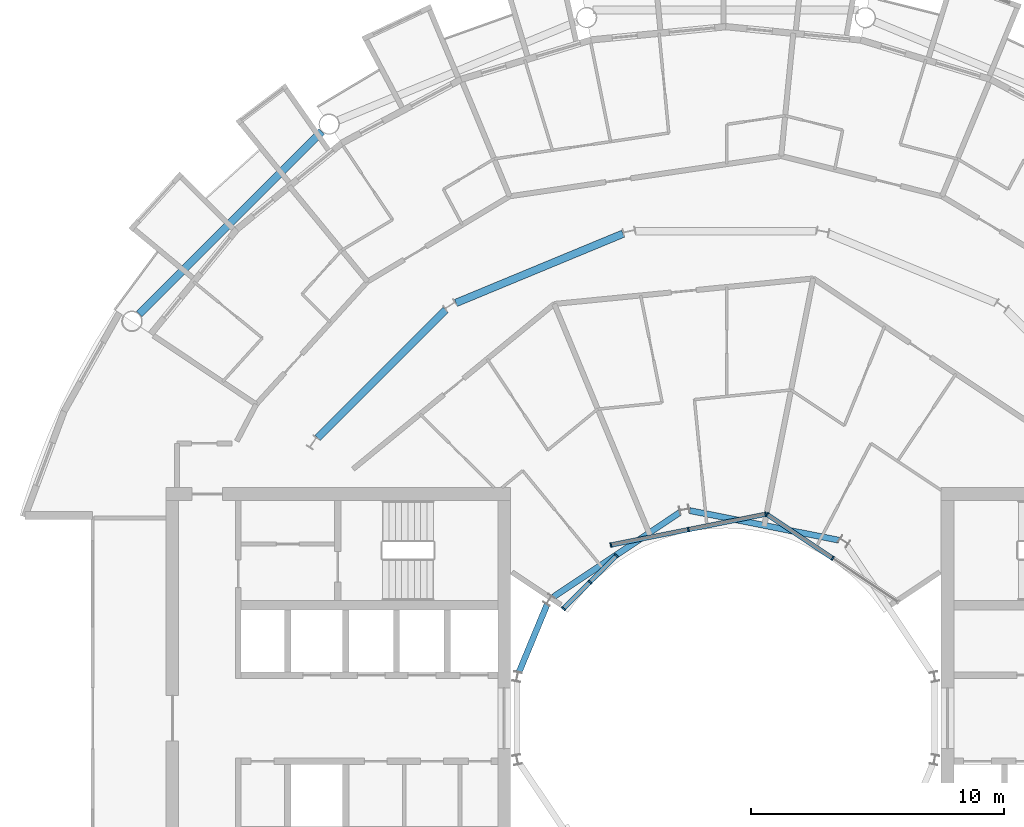
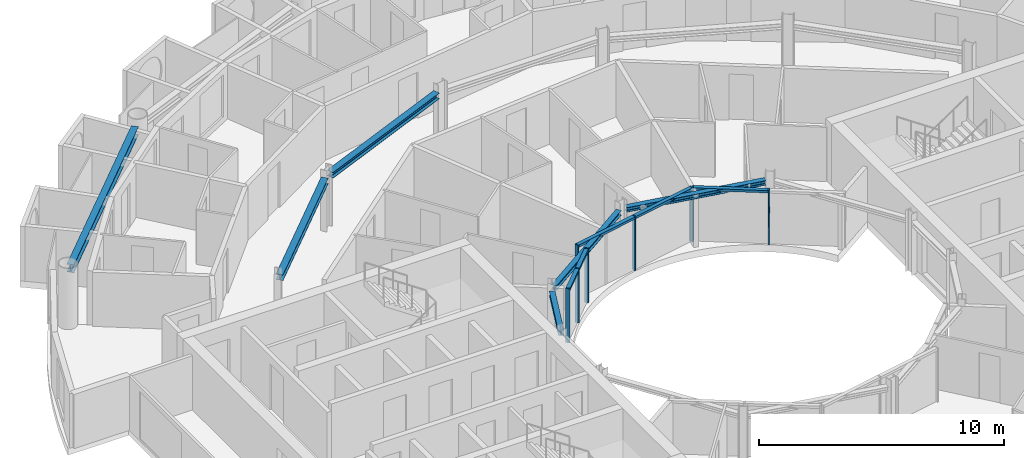
# One storey, part 8 of 27: 13 members, 6 beams, 3 elements without a shape of their own.
"""IFC4 building model written with IfcOpenShell, lengths in metres."""

from ifc_helpers import new_model, si_unit, direction, frame, origin, origin_2d, place, context, subcontext, project, spatial, rectangle, i_section, extrude, material, layer, layer_set, material_profile, profile_set, type_object, element, aggregate, save


model = new_model("IFC4")

# Units and contexts
model_context = context("Model", 3, precision=1e-05, world=origin(), true_north=direction((0.0, 1.0)))
body_context = subcontext(model_context, "Body", "Model", "MODEL_VIEW")
ifc_project = project(units=[si_unit("LENGTHUNIT", "METRE"), si_unit("AREAUNIT", "SQUARE_METRE"), si_unit("VOLUMEUNIT", "CUBIC_METRE"), si_unit("PLANEANGLEUNIT", "RADIAN"), si_unit("MASSUNIT", "GRAM", prefix="KILO")], contexts=[model_context])

# Site, building, storey
site_placement = place(None, origin())
site = spatial("IfcSite", under=ifc_project, at=site_placement, CompositionType="ELEMENT")
building_placement = place(site_placement, origin())
building = spatial("IfcBuilding", under=site, at=building_placement, Name="Maasbend Ring Residences", CompositionType="ELEMENT")
storey_placement = place(building_placement, frame((0.0, 0.0, 145.199951171875)))
storey = spatial("IfcBuildingStorey", under=building, at=storey_placement, Name="L41", CompositionType="ELEMENT", Elevation=145.199951171875)

# Curtain wall, members
ifc_material_1 = material(Name="Aluminium and clear glass", Category="aluminium")
ifc_layer = layer(ifc_material_1, 0.179931640625)
ifc_layer_set = layer_set([ifc_layer], Name="CW-W")
curtain_wall_type = type_object("IfcCurtainWallType", Name="CW-W", PredefinedType="NOTDEFINED", material=ifc_layer_set)
curtain_wall_1_placement = place(storey_placement, origin())
curtain_wall_1 = element("IfcCurtainWall", 1, at=curtain_wall_1_placement, inside=storey, type_object=curtain_wall_type, Name="Well curtain wall N1", PredefinedType="NOTDEFINED")
ifc_material_2 = material(Name="Aluminium 6063-T6", Category="aluminium")
ifc_material_profile_1 = material_profile(ifc_material_2, rectangle(XDim=0.179931640625, YDim=0.06005859375, at=origin_2d()), Name="AL 180x60")
ifc_profile_set_1 = profile_set([ifc_material_profile_1], Name="Aluminium 6063-T6")
member_type_1 = type_object("IfcMemberType", Name="CWM-W", PredefinedType="MULLION", material=ifc_profile_set_1)
member_1_placement = place(storey_placement, frame((4.216796875, 6.310791015625, 0.0), z_axis=(0.0, 0.0, 1.0), x_axis=(-0.55557023302, -0.831469612303, 0.0)))
member_1 = element("IfcMember", 2, at=member_1_placement, type_object=member_type_1, Name="Mullion well face", PredefinedType="MULLION", context=body_context, shape_type="SweptSolid", body=[
    extrude(rectangle(XDim=0.179931640625, YDim=0.06005859375, at=origin_2d()), origin(), (0.0, 0.0, 1.0), 2.699951171875),
])
member_2_placement = place(storey_placement, frame((1.627685546875, 8.040771484375, 0.0), z_axis=(0.0, 0.0, 1.0), x_axis=(-0.55557023302, -0.831469612303, 0.0)))
member_2 = element("IfcMember", 3, at=member_2_placement, type_object=member_type_1, Name="Mullion well face", PredefinedType="MULLION", context=body_context, shape_type="SweptSolid", body=[
    extrude(rectangle(XDim=0.179931640625, YDim=0.06005859375, at=origin_2d()), origin(), (0.0, 0.0, 1.0), 2.699951171875),
])

curtain_wall_2_placement = place(storey_placement, origin())
curtain_wall_2 = element("IfcCurtainWall", 4, at=curtain_wall_2_placement, inside=storey, type_object=curtain_wall_type, Name="Well curtain wall N2", PredefinedType="NOTDEFINED")
member_3_placement = place(storey_placement, frame((1.5732421875, 8.0517578125, 0.0), z_axis=(0.0, 0.0, 1.0), x_axis=(0.195090322016, -0.980785280403, 0.0)))
member_3 = element("IfcMember", 5, at=member_3_placement, type_object=member_type_1, Name="Mullion well face", PredefinedType="MULLION", context=body_context, shape_type="SweptSolid", body=[
    extrude(rectangle(XDim=0.179931640625, YDim=0.06005859375, at=origin_2d()), origin(), (0.0, 0.0, 1.0), 2.699951171875),
])
member_4_placement = place(storey_placement, frame((-1.480712890625, 7.444091796875, 0.0), z_axis=(0.0, 0.0, 1.0), x_axis=(0.195090322016, -0.980785280403, 0.0)))
member_4 = element("IfcMember", 6, at=member_4_placement, type_object=member_type_1, Name="Mullion well face", PredefinedType="MULLION", context=body_context, shape_type="SweptSolid", body=[
    extrude(rectangle(XDim=0.179931640625, YDim=0.06005859375, at=origin_2d()), origin(), (0.0, 0.0, 1.0), 2.699951171875),
])
member_5_placement = place(storey_placement, frame((-4.53466796875, 6.836669921875, 0.0), z_axis=(0.0, 0.0, 1.0), x_axis=(0.195090322016, -0.980785280403, 0.0)))
member_5 = element("IfcMember", 7, at=member_5_placement, type_object=member_type_1, Name="Mullion well face", PredefinedType="MULLION", context=body_context, shape_type="SweptSolid", body=[
    extrude(rectangle(XDim=0.179931640625, YDim=0.06005859375, at=origin_2d()), origin(), (0.0, 0.0, 1.0), 2.699951171875),
])

curtain_wall_3_placement = place(storey_placement, origin())
curtain_wall_3 = element("IfcCurtainWall", 8, at=curtain_wall_3_placement, inside=storey, type_object=curtain_wall_type, Name="Well curtain wall N3", PredefinedType="NOTDEFINED")
member_6_placement = place(storey_placement, frame((-4.320556640625, 6.413330078125, 0.0), z_axis=(0.0, 0.0, 1.0), x_axis=(0.707106781187, -0.707106781187, 0.0)))
member_6 = element("IfcMember", 9, at=member_6_placement, type_object=member_type_1, Name="Mullion well face", PredefinedType="MULLION", context=body_context, shape_type="SweptSolid", body=[
    extrude(rectangle(XDim=0.179931640625, YDim=0.06005859375, at=origin_2d()), origin(), (0.0, 0.0, 1.0), 2.699951171875),
])
member_7_placement = place(storey_placement, frame((-5.366943359375, 5.366943359375, 0.0), z_axis=(0.0, 0.0, 1.0), x_axis=(0.707106781187, -0.707106781187, 0.0)))
member_7 = element("IfcMember", 10, at=member_7_placement, type_object=member_type_1, Name="Mullion well face", PredefinedType="MULLION", context=body_context, shape_type="SweptSolid", body=[
    extrude(rectangle(XDim=0.179931640625, YDim=0.06005859375, at=origin_2d()), origin(), (0.0, 0.0, 1.0), 2.699951171875),
])
member_8_placement = place(storey_placement, frame((-6.413330078125, 4.320556640625, 0.0), z_axis=(0.0, 0.0, 1.0), x_axis=(0.707106781187, -0.707106781187, 0.0)))
member_8 = element("IfcMember", 11, at=member_8_placement, type_object=member_type_1, Name="Mullion well face", PredefinedType="MULLION", context=body_context, shape_type="SweptSolid", body=[
    extrude(rectangle(XDim=0.179931640625, YDim=0.06005859375, at=origin_2d()), origin(), (0.0, 0.0, 1.0), 2.699951171875),
])

# Member
ifc_material_3 = material(Name="Aluminium 6063-T6", Category="aluminium")
ifc_material_profile_2 = material_profile(ifc_material_3, rectangle(XDim=0.179931640625, YDim=0.1201171875, at=origin_2d()), Name="AL 180x120")
ifc_profile_set_2 = profile_set([ifc_material_profile_2], Name="Aluminium 6063-T6")
member_type_2 = type_object("IfcMemberType", Name="CWT-W", PredefinedType="USERDEFINED", material=ifc_profile_set_2)
member_9_placement = place(storey_placement, frame((4.19189453125, 6.32763671875, 2.64013671875), z_axis=(-0.831496422459, 0.555530106689, 0.0), x_axis=(-0.555530106689, -0.831496422459, 0.0)))
member_9 = element("IfcMember", 12, at=member_9_placement, type_object=member_type_2, Name="Transom well face", ObjectType="TRANSOM", PredefinedType="USERDEFINED", context=body_context, shape_type="SweptSolid", body=[
    extrude(rectangle(XDim=0.179931640625, YDim=0.1201171875, at=origin_2d()), origin(), (0.0, 0.0, 1.0), 3.053955078125),
])

aggregate(curtain_wall_1, [member_1, member_2, member_9])

member_10_placement = place(storey_placement, frame((1.5439453125, 8.0458984375, 2.64013671875), z_axis=(-0.980776956105, -0.195132166424, 0.0), x_axis=(0.195132166424, -0.980776956105, 0.0)))
member_10 = element("IfcMember", 13, at=member_10_placement, type_object=member_type_2, Name="Transom well face", ObjectType="TRANSOM", PredefinedType="USERDEFINED", context=body_context, shape_type="SweptSolid", body=[
    extrude(rectangle(XDim=0.179931640625, YDim=0.1201171875, at=origin_2d()), origin(), (0.0, 0.0, 1.0), 3.053955078125),
])

member_11_placement = place(storey_placement, frame((-1.51025390625, 7.438232421875, 2.64013671875), z_axis=(-0.980789210404, -0.19507056353, 0.0), x_axis=(0.19507056353, -0.980789210404, 0.0)))
member_11 = element("IfcMember", 14, at=member_11_placement, type_object=member_type_2, Name="Transom well face", ObjectType="TRANSOM", PredefinedType="USERDEFINED", context=body_context, shape_type="SweptSolid", body=[
    extrude(rectangle(XDim=0.179931640625, YDim=0.1201171875, at=origin_2d()), origin(), (0.0, 0.0, 1.0), 3.0537109375),
])

aggregate(curtain_wall_2, [member_3, member_4, member_5, member_10, member_11])

member_12_placement = place(storey_placement, frame((-4.341796875, 6.39208984375, 2.64013671875), z_axis=(-0.707106781187, -0.707106781187, 0.0), x_axis=(0.707106781187, -0.707106781187, 0.0)))
member_12 = element("IfcMember", 15, at=member_12_placement, type_object=member_type_2, Name="Transom well face", ObjectType="TRANSOM", PredefinedType="USERDEFINED", context=body_context, shape_type="SweptSolid", body=[
    extrude(rectangle(XDim=0.179931640625, YDim=0.1201171875, at=origin_2d()), origin(), (0.0, 0.0, 1.0), 1.419677734375),
])

member_13_placement = place(storey_placement, frame((-5.38818359375, 5.345703125, 2.64013671875), z_axis=(-0.707106781187, -0.707106781187, 0.0), x_axis=(0.707106781187, -0.707106781187, 0.0)))
member_13 = element("IfcMember", 16, at=member_13_placement, type_object=member_type_2, Name="Transom well face", ObjectType="TRANSOM", PredefinedType="USERDEFINED", context=body_context, shape_type="SweptSolid", body=[
    extrude(rectangle(XDim=0.179931640625, YDim=0.1201171875, at=origin_2d()), origin(), (0.0, 0.0, 1.0), 1.419677734375),
])

aggregate(curtain_wall_3, [member_6, member_7, member_8, member_12, member_13])

# Beams
ifc_material_4 = material(Name="Steel S355J2", Category="steel")
ifc_material_profile_3 = material_profile(ifc_material_4, i_section(OverallWidth=0.300048828125, OverallDepth=0.2900390625, WebThickness=0.008544921875, FlangeThickness=0.013916015625, FilletRadius=0.027099609375, at=origin_2d()), Name="HEA 300")
ifc_profile_set_3 = profile_set([ifc_material_profile_3], Name="Steel S355J2")
beam_type_1 = type_object("IfcBeamType", Name="Corridor ring beam HEA 300", PredefinedType="BEAM", material=ifc_profile_set_3)
for number, where, z_axis, x_axis, name in (
    (17, (-4.059326171875, 19.1259765625, 2.554931640625), (-0.923871339849, -0.382703210602, 0.0), (0.382703210602, -0.923871339849, 0.0), "Corridor ring beam"),
    (18, (-11.0693359375, 16.11669921875, 2.554931640625), (-0.707106781187, -0.707106781187, 0.0), (0.707106781187, -0.707106781187, 0.0), "Corridor ring beam"),
):
    element("IfcBeam", number, at=place(storey_placement, frame(where, z_axis=z_axis, x_axis=x_axis)), inside=storey, type_object=beam_type_1, Name=name, PredefinedType="BEAM", context=body_context, shape_type="SweptSolid", body=[
        extrude(i_section(OverallWidth=0.300048828125, OverallDepth=0.2900390625, WebThickness=0.008544921875, FlangeThickness=0.013916015625, FilletRadius=0.027099609375, at=origin_2d()), origin(), (0.0, 0.0, 1.0), 7.137939453125),
    ])
ifc_material_5 = material(Name="Steel S355J2", Category="steel")
ifc_material_profile_4 = material_profile(ifc_material_5, i_section(OverallWidth=0.300048828125, OverallDepth=0.39990234375, WebThickness=0.013427734375, FlangeThickness=0.02392578125, FilletRadius=0.027099609375, at=origin_2d()), Name="HEB 400")
ifc_profile_set_4 = profile_set([ifc_material_profile_4], Name="Steel S355J2")
beam_type_2 = type_object("IfcBeamType", Name="Spandrel ring beam HEB 400", PredefinedType="SPANDREL", material=ifc_profile_set_4)
beam_1_placement = place(storey_placement, frame((-15.95458984375, 23.159912109375, 2.5), z_axis=(-0.707106781187, -0.707106781187, 0.0), x_axis=(0.707106781187, -0.707106781187, 0.0)))
element("IfcBeam", 19, at=beam_1_placement, inside=storey, type_object=beam_type_2, Name="Spandrel ring beam", PredefinedType="SPANDREL", context=body_context, shape_type="SweptSolid", body=[
    extrude(i_section(OverallWidth=0.300048828125, OverallDepth=0.39990234375, WebThickness=0.013427734375, FlangeThickness=0.02392578125, FilletRadius=0.027099609375, at=origin_2d()), origin(), (0.0, 0.0, 1.0), 10.18994140625),
])
ifc_material_6 = material(Name="Steel S355J2", Category="steel")
ifc_material_profile_5 = material_profile(ifc_material_6, i_section(OverallWidth=0.239990234375, OverallDepth=0.22998046875, WebThickness=0.007568359375, FlangeThickness=0.011962890625, FilletRadius=0.02099609375, at=origin_2d()), Name="HEA 240")
ifc_profile_set_5 = profile_set([ifc_material_profile_5], Name="Steel S355J2")
beam_type_3 = type_object("IfcBeamType", Name="Well edge beam HEA 240", PredefinedType="BEAM", material=ifc_profile_set_5)
beam_2_placement = place(storey_placement, frame((4.459716796875, 7.025390625, 2.5849609375), z_axis=(-0.980778695042, 0.195123425945, 0.0), x_axis=(-0.195123425945, -0.980778695042, 0.0)))
element("IfcBeam", 20, at=beam_2_placement, inside=storey, type_object=beam_type_3, Name="Well edge beam", PredefinedType="BEAM", context=body_context, shape_type="SweptSolid", body=[
    extrude(i_section(OverallWidth=0.239990234375, OverallDepth=0.22998046875, WebThickness=0.007568359375, FlangeThickness=0.011962890625, FilletRadius=0.02099609375, at=origin_2d()), origin(), (0.0, 0.0, 1.0), 6.007080078125),
])
beam_3_placement = place(storey_placement, frame((-1.814208984375, 8.121337890625, 2.5849609375), z_axis=(-0.831480850227, -0.555553413909, 0.0), x_axis=(0.555553413909, -0.831480850227, 0.0)))
element("IfcBeam", 21, at=beam_3_placement, inside=storey, type_object=beam_type_3, Name="Well edge beam", PredefinedType="BEAM", context=body_context, shape_type="SweptSolid", body=[
    extrude(i_section(OverallWidth=0.239990234375, OverallDepth=0.22998046875, WebThickness=0.007568359375, FlangeThickness=0.011962890625, FilletRadius=0.02099609375, at=origin_2d()), origin(), (0.0, 0.0, 1.0), 6.0068359375),
])
beam_4_placement = place(storey_placement, frame((-7.060302734375, 4.483154296875, 2.5849609375), z_axis=(-0.382748596828, -0.923852537814, 0.0), x_axis=(0.923852537814, -0.382748596828, 0.0)))
element("IfcBeam", 22, at=beam_4_placement, inside=storey, type_object=beam_type_3, Name="Well edge beam", PredefinedType="BEAM", context=body_context, shape_type="SweptSolid", body=[
    extrude(i_section(OverallWidth=0.239990234375, OverallDepth=0.22998046875, WebThickness=0.007568359375, FlangeThickness=0.011962890625, FilletRadius=0.02099609375, at=origin_2d()), origin(), (0.0, 0.0, 1.0), 2.8798828125),
])

save(model, "model.ifc")
